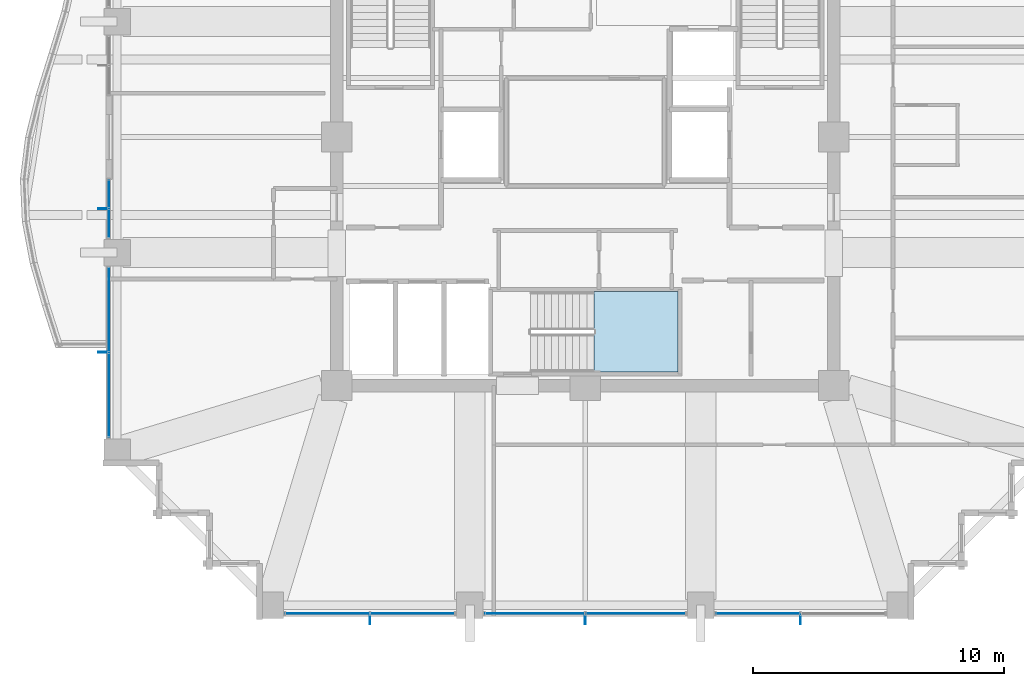
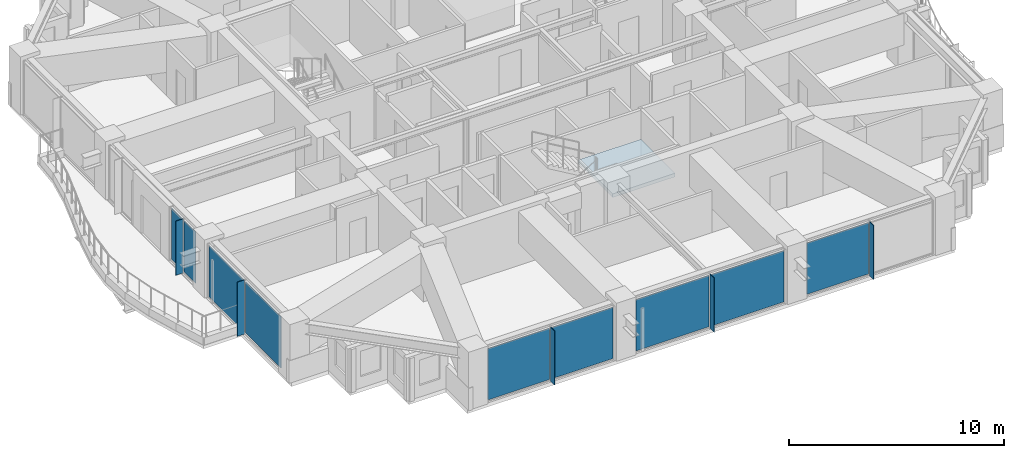
# One storey, part 25 of 36: 14 plates, 1 slab, 6 elements without a shape of their own.
"""IFC4 building model written with IfcOpenShell, lengths in metres."""

from ifc_helpers import new_model, si_unit, direction, frame, origin, origin_2d, place, context, subcontext, project, spatial, polyline, rectangle, outline, extrude, material, layer, layer_set, type_object, element, aggregate, save


model = new_model("IFC4")

# Units and contexts
model_context = context("Model", 3, precision=1e-05, world=origin(), true_north=direction((0.0, 1.0)))
body_context = subcontext(model_context, "Body", "Model", "MODEL_VIEW")
ifc_project = project(units=[si_unit("LENGTHUNIT", "METRE"), si_unit("AREAUNIT", "SQUARE_METRE"), si_unit("VOLUMEUNIT", "CUBIC_METRE"), si_unit("PLANEANGLEUNIT", "RADIAN"), si_unit("MASSUNIT", "GRAM", prefix="KILO")], contexts=[model_context])

# Site, building, storey
site_placement = place(None, origin())
site = spatial("IfcSite", under=ifc_project, at=site_placement, CompositionType="ELEMENT")
building_placement = place(site_placement, origin())
building = spatial("IfcBuilding", under=site, at=building_placement, Name="Kolvaren Belvedere", CompositionType="ELEMENT")
storey_placement = place(building_placement, frame((0.0, 0.0, 108.5)))
storey = spatial("IfcBuildingStorey", under=building, at=storey_placement, Name="L31", CompositionType="ELEMENT", Elevation=108.5)

# Curtain wall, plate
ifc_material_1 = material(Name="Anodised pale-metal aluminium AA 6063-T6", Category="aluminium")
curtain_wall_type = type_object("IfcCurtainWallType", Name="CW-Z3-WAIST", PredefinedType="NOTDEFINED", material=ifc_material_1)
curtain_wall_1_placement = place(storey_placement, origin())
curtain_wall_1 = element("IfcCurtainWall", 1, at=curtain_wall_1_placement, inside=storey, type_object=curtain_wall_type, Name="L31 Unitised Curtain Wall FCW-L31-S-B1", PredefinedType="NOTDEFINED")
ifc_material_2 = material(Name="Low-iron triple insulated glass", Category="glass")
ifc_layer_1 = layer(ifc_material_2, 0.028076171875)
ifc_layer_set_1 = layer_set([ifc_layer_1], Name="Low-iron triple insulated glass")
plate_type_1 = type_object("IfcPlateType", Name="CW-PNL-VIS28", PredefinedType="CURTAIN_PANEL", material=ifc_layer_set_1)
plate_1_placement = place(storey_placement, frame((6.876220703125, -18.97998046875, 0.080078125), z_axis=(0.0, 0.0, 1.0), x_axis=(-1.0, 0.0, 0.0)))
plate_1 = element("IfcPlate", 2, at=plate_1_placement, type_object=plate_type_1, Name="FCW-L31-S-B1 Vision Glazing Panel 2", PredefinedType="CURTAIN_PANEL", context=body_context, shape_type="SweptSolid", body=[
    extrude(rectangle(XDim=3.3173828125, YDim=0.028076171875, at=origin_2d()), origin(), (0.0, 0.0, 1.0), 2.919921875),
])
aggregate(curtain_wall_1, [plate_1])

# Curtain wall, plates
curtain_wall_2_placement = place(storey_placement, origin())
curtain_wall_2 = element("IfcCurtainWall", 3, at=curtain_wall_2_placement, inside=storey, type_object=curtain_wall_type, Name="L31 Unitised Curtain Wall FCW-L31-S-B2", PredefinedType="NOTDEFINED")
plate_2_placement = place(storey_placement, frame((2.01123046875, -18.97998046875, 0.080078125), z_axis=(0.0, 0.0, 1.0), x_axis=(-1.0, 0.0, 0.0)))
plate_2 = element("IfcPlate", 4, at=plate_2_placement, type_object=plate_type_1, Name="FCW-L31-S-B2 Vision Glazing Panel 1", PredefinedType="CURTAIN_PANEL", context=body_context, shape_type="SweptSolid", body=[
    extrude(rectangle(XDim=3.9423828125, YDim=0.028076171875, at=origin_2d()), origin(), (0.0, 0.0, 1.0), 2.919921875),
])
plate_3_placement = place(storey_placement, frame((-2.01123046875, -18.97998046875, 0.080078125), z_axis=(0.0, 0.0, 1.0), x_axis=(-1.0, 0.0, 0.0)))
plate_3 = element("IfcPlate", 5, at=plate_3_placement, type_object=plate_type_1, Name="FCW-L31-S-B2 Vision Glazing Panel 2", PredefinedType="CURTAIN_PANEL", context=body_context, shape_type="SweptSolid", body=[
    extrude(rectangle(XDim=3.9423828125, YDim=0.028076171875, at=origin_2d()), origin(), (0.0, 0.0, 1.0), 2.919921875),
])
aggregate(curtain_wall_2, [plate_2, plate_3])

curtain_wall_3_placement = place(storey_placement, origin())
curtain_wall_3 = element("IfcCurtainWall", 6, at=curtain_wall_3_placement, inside=storey, type_object=curtain_wall_type, Name="L31 Unitised Curtain Wall FCW-L31-S-B3", PredefinedType="NOTDEFINED")
plate_4_placement = place(storey_placement, frame((-6.876220703125, -18.97998046875, 0.080078125), z_axis=(0.0, 0.0, 1.0), x_axis=(-1.0, 0.0, 0.0)))
plate_4 = element("IfcPlate", 7, at=plate_4_placement, type_object=plate_type_1, Name="FCW-L31-S-B3 Vision Glazing Panel 1", PredefinedType="CURTAIN_PANEL", context=body_context, shape_type="SweptSolid", body=[
    extrude(rectangle(XDim=3.3173828125, YDim=0.028076171875, at=origin_2d()), origin(), (0.0, 0.0, 1.0), 2.919921875),
])
plate_5_placement = place(storey_placement, frame((-10.273681640625, -18.97998046875, 0.080078125), z_axis=(0.0, 0.0, 1.0), x_axis=(-1.0, 0.0, 0.0)))
plate_5 = element("IfcPlate", 8, at=plate_5_placement, type_object=plate_type_1, Name="FCW-L31-S-B3 Vision Glazing Panel 2", PredefinedType="CURTAIN_PANEL", context=body_context, shape_type="SweptSolid", body=[
    extrude(rectangle(XDim=3.3173828125, YDim=0.028076171875, at=origin_2d()), origin(), (0.0, 0.0, 1.0), 2.919921875),
])
aggregate(curtain_wall_3, [plate_4, plate_5])

curtain_wall_4_placement = place(storey_placement, origin())
curtain_wall_4 = element("IfcCurtainWall", 9, at=curtain_wall_4_placement, inside=storey, type_object=curtain_wall_type, Name="L31 Unitised Curtain Wall FCW-L31-W1-B1", PredefinedType="NOTDEFINED")
plate_6_placement = place(storey_placement, frame((-18.97998046875, -10.273681640625, 0.080078125), z_axis=(0.0, 0.0, 1.0), x_axis=(0.0, 1.0, 0.0)))
plate_6 = element("IfcPlate", 10, at=plate_6_placement, type_object=plate_type_1, Name="FCW-L31-W1-B1 Vision Glazing Panel 1", PredefinedType="CURTAIN_PANEL", context=body_context, shape_type="SweptSolid", body=[
    extrude(rectangle(XDim=3.3173828125, YDim=0.028076171875, at=origin_2d()), origin(), (0.0, 0.0, 1.0), 2.919921875),
])
plate_7_placement = place(storey_placement, frame((-18.97998046875, -6.876220703125, 0.080078125), z_axis=(0.0, 0.0, 1.0), x_axis=(0.0, 1.0, 0.0)))
plate_7 = element("IfcPlate", 11, at=plate_7_placement, type_object=plate_type_1, Name="FCW-L31-W1-B1 Vision Glazing Panel 2", PredefinedType="CURTAIN_PANEL", context=body_context, shape_type="SweptSolid", body=[
    extrude(rectangle(XDim=3.3173828125, YDim=0.028076171875, at=origin_2d()), origin(), (0.0, 0.0, 1.0), 2.919921875),
])
aggregate(curtain_wall_4, [plate_6, plate_7])

curtain_wall_5_placement = place(storey_placement, origin())
curtain_wall_5 = element("IfcCurtainWall", 12, at=curtain_wall_5_placement, inside=storey, type_object=curtain_wall_type, Name="L31 Unitised Curtain Wall FCW-L31-W1-B2", PredefinedType="NOTDEFINED")
plate_8_placement = place(storey_placement, frame((-18.97998046875, -3.43701171875, 0.080078125), z_axis=(0.0, 0.0, 1.0), x_axis=(0.0, 1.0, 0.0)))
plate_8 = element("IfcPlate", 13, at=plate_8_placement, type_object=plate_type_1, Name="FCW-L31-W1-B2 Vision Glazing Panel 1", PredefinedType="CURTAIN_PANEL", context=body_context, shape_type="SweptSolid", body=[
    extrude(rectangle(XDim=1.09130859375, YDim=0.028076171875, at=origin_2d()), origin(), (0.0, 0.0, 1.0), 2.919921875),
])
plate_9_placement = place(storey_placement, frame((-18.97998046875, -2.265625, 0.080078125), z_axis=(0.0, 0.0, 1.0), x_axis=(0.0, 1.0, 0.0)))
plate_9 = element("IfcPlate", 14, at=plate_9_placement, type_object=plate_type_1, Name="FCW-L31-W1-B2 Vision Glazing Panel 2", PredefinedType="CURTAIN_PANEL", context=body_context, shape_type="SweptSolid", body=[
    extrude(rectangle(XDim=1.09130859375, YDim=0.028076171875, at=origin_2d()), origin(), (0.0, 0.0, 1.0), 2.919921875),
])
aggregate(curtain_wall_5, [plate_8, plate_9])

# Plates
ifc_material_3 = material(Name="Anodised pale-metal aluminium AA 6063-T6", Category="aluminium")
ifc_layer_2 = layer(ifc_material_3, 0.033935546875)
ifc_layer_set_2 = layer_set([ifc_layer_2], Name="Anodised pale-metal aluminium AA 6063-T6")
plate_type_2 = type_object("IfcPlateType", Name="FIN-VERT-380", PredefinedType="USERDEFINED", material=ifc_layer_set_2)
for number, where, z_axis, x_axis, name in (
    (15, (8.574951171875, -19.219970703125, 0.0), (0.0, 0.0, 1.0), (0.0, 1.0, 0.0), "L31 Pale-Metal Vertical Shading Fin FCW-L31-S-B1-1"),
    (16, (0.0, -19.219970703125, 0.0), (0.0, 0.0, 1.0), (0.0, 1.0, 0.0), "L31 Pale-Metal Vertical Shading Fin FCW-L31-S-B2-1"),
    (17, (-8.574951171875, -19.219970703125, 0.0), (0.0, 0.0, 1.0), (0.0, 1.0, 0.0), "L31 Pale-Metal Vertical Shading Fin FCW-L31-S-B3-1"),
    (18, (-19.219970703125, -8.574951171875, 0.0), (0.0, 0.0, 1.0), (1.0, 0.0, 0.0), "L31 Pale-Metal Vertical Shading Fin FCW-L31-W1-B1-1"),
    (19, (-19.219970703125, -2.851318359375, 0.0), (0.0, 0.0, 1.0), (1.0, 0.0, 0.0), "L31 Pale-Metal Vertical Shading Fin FCW-L31-W1-B2-1"),
):
    element("IfcPlate", number, at=place(storey_placement, frame(where, z_axis=z_axis, x_axis=x_axis)), inside=storey, type_object=plate_type_2, Name=name, ObjectType="VERTICAL FIN", PredefinedType="USERDEFINED", context=body_context, shape_type="SweptSolid", body=[
        extrude(rectangle(XDim=0.3798828125, YDim=0.033935546875, at=origin_2d()), origin(), (0.0, 0.0, 1.0), 3.080078125),
    ])

# Stair, slab
ifc_material_4 = material(Name="Concrete C50/60", Category="concrete")
stair_type = type_object("IfcStairType", Name="ST-CORE-1520", PredefinedType="HALF_TURN_STAIR", material=ifc_material_4)
stair_placement = place(storey_placement, origin())
stair = element("IfcStair", 20, at=stair_placement, inside=storey, type_object=stair_type, Name="L31 Protected Exit Stair ST-3", PredefinedType="HALF_TURN_STAIR")
ifc_material_5 = material(Name="Concrete C50/60", Category="concrete")
ifc_layer_3 = layer(ifc_material_5, 0.260009765625)
ifc_layer_set_3 = layer_set([ifc_layer_3], Name="Concrete C50/60")
slab_type = type_object("IfcSlabType", Name="SL-LAND-260", PredefinedType="LANDING", material=ifc_layer_set_3)
slab_placement = place(storey_placement, frame((0.0, 0.0, 1.449951171875)))
slab = element("IfcSlab", 21, at=slab_placement, type_object=slab_type, Name="ST-3 landing 1", PredefinedType="LANDING", context=body_context, shape_type="SweptSolid", body=[
    extrude(outline(polyline([(0.340087890625, -9.35009765625), (3.699951171875, -9.35009765625), (3.699951171875, -6.159912109375), (0.340087890625, -6.159912109375), (0.340087890625, -9.35009765625)])), origin(), (0.0, 0.0, 1.0), 0.199951171875),
])
aggregate(stair, [slab])

save(model, "model.ifc")
